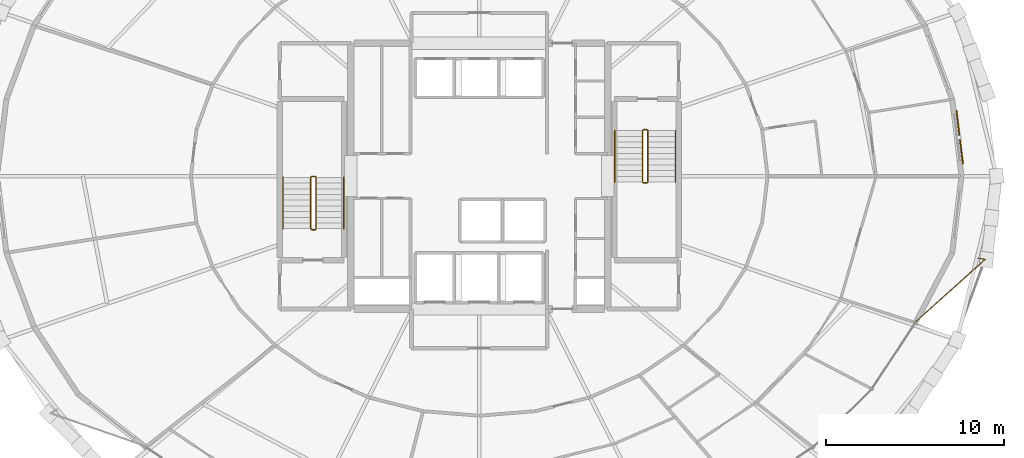
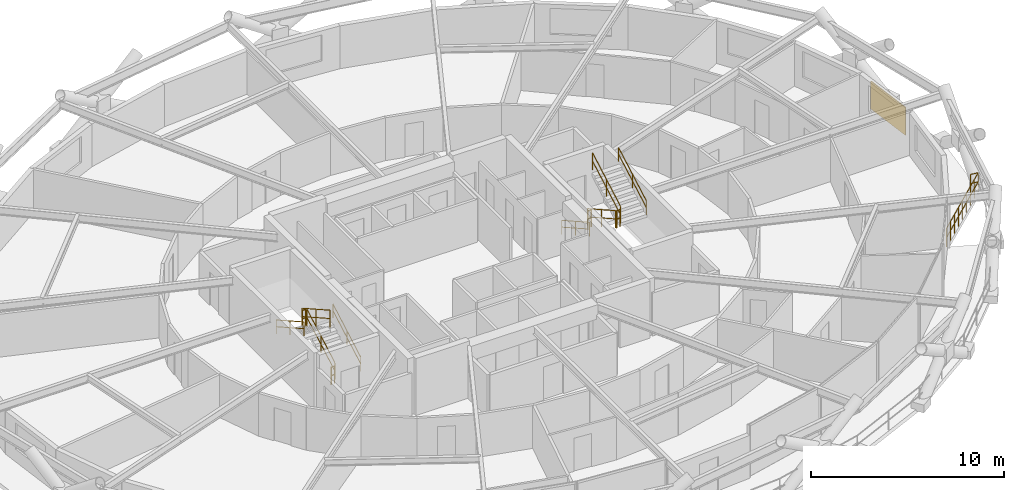
# One storey, part 19 of 19: 13 railings, 1 shading device.
"""IFC4 building model written with IfcOpenShell, lengths in metres."""

import ifcopenshell
import ifcopenshell.guid

model = None  # the IFC model being written
_history = None  # IfcOwnerHistory: only IFC2X3 demands one
_inside = {}  # id of a spatial element -> (the spatial element, [elements in it])
_under = {}  # id of a project, library or spatial element -> (it, [spatial elements below it])
_declared = {}  # id of a project -> (the project, [libraries it declares])
_typed = {}  # id of a type object -> (the type object, [elements of that type])
_made_of = {}  # id of a material, layer set ... -> (it, [elements and type objects made of it])


def new_model(schema):
    """Start an empty IFC model of exactly this schema.

    Asked for "IFC4X3", IfcOpenShell would pick the latest addendum, in which some entities
    have other attributes; the version numbers below select the first issue.
    IFC2X3 requires an IfcOwnerHistory on every rooted entity: one is made here for all.
    """
    global model, _history
    if schema == "IFC4X3":
        model = ifcopenshell.file(schema_version=(4, 3, 0, 0))
    else:
        model = ifcopenshell.file(schema=schema)
    _inside.clear()
    _under.clear()
    _declared.clear()
    _typed.clear()
    _made_of.clear()
    _history = None
    if model.schema == "IFC2X3":
        org = make("IfcOrganization", Name="unknown")
        user = make(
            "IfcPersonAndOrganization",
            ThePerson=make("IfcPerson", FamilyName="unknown"),
            TheOrganization=org,
        )
        app = make(
            "IfcApplication",
            ApplicationDeveloper=org,
            Version="unknown",
            ApplicationFullName="unknown",
            ApplicationIdentifier="unknown",
        )
        _history = make(
            "IfcOwnerHistory",
            OwningUser=user,
            OwningApplication=app,
            ChangeAction="ADDED",
            CreationDate=0,
        )
    return model


def make(cls, **values):
    """One entity of the class cls with the attributes given. An attribute that is None is left unset."""
    return model.create_entity(
        cls, **{name: value for name, value in values.items() if value is not None}
    )


def rooted(cls, **values):
    """An entity with a GlobalId (a new one), such as an element, a storey or a relation."""
    return make(cls, GlobalId=ifcopenshell.guid.new(), OwnerHistory=_history, **values)


def si_unit(unit_type, name, prefix=None):
    """IfcSIUnit, for example si_unit("LENGTHUNIT", "METRE", prefix="MILLI")."""
    return make("IfcSIUnit", UnitType=unit_type, Prefix=prefix, Name=name)


def assignment(units):
    """IfcUnitAssignment: the units of a project."""
    return None if units is None else make("IfcUnitAssignment", Units=units)


def point(xyz):
    """IfcCartesianPoint."""
    return None if xyz is None else make("IfcCartesianPoint", Coordinates=xyz)


def direction(xyz):
    """IfcDirection."""
    return None if xyz is None else make("IfcDirection", DirectionRatios=xyz)


def frame(location, z_axis=None, x_axis=None):
    """IfcAxis2Placement3D, a coordinate frame: its origin and axes. An axis left out is left unset."""
    return make(
        "IfcAxis2Placement3D",
        Location=point(location),
        Axis=direction(z_axis),
        RefDirection=direction(x_axis),
    )


def frame_2d(location, x_axis=None):
    """IfcAxis2Placement2D, a coordinate frame in the plane: its origin and x axis."""
    return make(
        "IfcAxis2Placement2D", Location=point(location), RefDirection=direction(x_axis)
    )


def origin():
    """The frame at (0, 0, 0) with its axes left unset."""
    return frame((0.0, 0.0, 0.0))


def origin_2d():
    """The frame at (0, 0) in the plane with its x axis left unset."""
    return frame_2d((0.0, 0.0))


def place(relative_to, where):
    """IfcLocalPlacement: puts the frame where relative to a parent placement (None: the world)."""
    return make(
        "IfcLocalPlacement", PlacementRelTo=relative_to, RelativePlacement=where
    )


def context(
    kind, dimensions, precision=None, world=None, true_north=None, identifier=None
):
    """IfcGeometricRepresentationContext, for example the 3D "Model" context."""
    return make(
        "IfcGeometricRepresentationContext",
        ContextIdentifier=identifier,
        ContextType=kind,
        CoordinateSpaceDimension=dimensions,
        Precision=precision,
        WorldCoordinateSystem=world,
        TrueNorth=true_north,
    )


def subcontext(parent, identifier, kind, view, scale=None):
    """IfcGeometricRepresentationSubContext, for example "Body" below "Model"."""
    return make(
        "IfcGeometricRepresentationSubContext",
        ContextIdentifier=identifier,
        ContextType=kind,
        ParentContext=parent,
        TargetScale=scale,
        TargetView=view,
    )


def project(units=None, contexts=None):
    """IfcProject with its units and contexts."""
    return rooted(
        "IfcProject",
        Name="project",
        RepresentationContexts=contexts,
        UnitsInContext=assignment(units),
    )


def spatial(cls, under=None, at=None, **own):
    """A site, building, storey or space (cls), placed at a placement, below another one or the project."""
    s = rooted(cls, ObjectPlacement=at, **own)
    if under is not None:
        _under.setdefault(under.id(), (under, []))[1].append(s)
    return s


def profile(cls, at=None, kind="AREA", **sizes):
    """A parametric profile (cls). Its sizes go by their IFC names, for example OverallWidth=200.0."""
    return make(cls, ProfileType=kind, Position=at, **sizes)


def rectangle(**sizes):
    """IfcRectangleProfileDef."""
    return profile("IfcRectangleProfileDef", **sizes)


def circle(**sizes):
    """IfcCircleProfileDef."""
    return profile("IfcCircleProfileDef", **sizes)


def extrude(swept, where, along, depth):
    """IfcExtrudedAreaSolid: the profile swept, set in the frame where, extruded along a direction by depth."""
    return make(
        "IfcExtrudedAreaSolid",
        SweptArea=swept,
        Position=where,
        ExtrudedDirection=direction(along),
        Depth=depth,
    )


def shape(context_of_items, identifier, shape_type, items):
    """IfcShapeRepresentation: the items that make up one representation, for example the "Body"."""
    return make(
        "IfcShapeRepresentation",
        ContextOfItems=context_of_items,
        RepresentationIdentifier=identifier,
        RepresentationType=shape_type,
        Items=items,
    )


def material(Name=None, Category=None):
    """IfcMaterial."""
    return make("IfcMaterial", Name=Name, Category=Category)


def layer(
    of_material, thickness, ventilated=None, Name=None, Category=None, Priority=None
):
    """IfcMaterialLayer: one layer of a wall or slab, of a material (None: an air gap)."""
    return make(
        "IfcMaterialLayer",
        Material=of_material,
        LayerThickness=thickness,
        IsVentilated=ventilated,
        Name=Name,
        Category=Category,
        Priority=Priority,
    )


def layer_set(layers, Name=None):
    """IfcMaterialLayerSet."""
    return make("IfcMaterialLayerSet", MaterialLayers=layers, LayerSetName=Name)


def made_of(thing, what):
    """Note that an element or type object is made of a material, layer set ...; save() writes the relation."""
    if what is not None:
        _made_of.setdefault(what.id(), (what, []))[1].append(thing)
    return thing


def type_object(cls, material=None, **own):
    """A type object (cls), such as IfcWallType, which elements share."""
    return made_of(rooted(cls, **own), material)


def element(
    cls,
    number,
    at=None,
    inside=None,
    cuts=None,
    type_object=None,
    material=None,
    context=None,
    identifier="Body",
    shape_type=None,
    held_by="IfcProductDefinitionShape",
    body=None,
    shapes=None,
    **own,
):
    """One element of the class cls, such as IfcWall. Its Tag is "e" and its number.

    at: its placement. inside: the storey or other place that contains it. cuts: it is an
    opening in that element (IfcRelVoidsElement). A single representation is given by context,
    identifier, shape_type and body (its items); several are given by shapes. held_by: the class
    of the entity that holds the representations. save() writes the other relations.
    """
    e = rooted(cls, Tag="e%d" % number, ObjectPlacement=at, **own)
    if body is not None:
        shapes = [shape(context, identifier, shape_type, body)]
    if shapes is not None:
        e.Representation = make(held_by, Representations=shapes)
    if inside is not None:
        _inside.setdefault(inside.id(), (inside, []))[1].append(e)
    if cuts is not None:
        rooted(
            "IfcRelVoidsElement", RelatingBuildingElement=cuts, RelatedOpeningElement=e
        )
    if type_object is not None:
        _typed.setdefault(type_object.id(), (type_object, []))[1].append(e)
    return made_of(e, material)


def aggregate(whole, parts):
    """IfcRelAggregates: a whole, such as a stair, and the parts it consists of."""
    return rooted("IfcRelAggregates", RelatingObject=whole, RelatedObjects=parts)


def save(model, path):
    """Write the relations noted so far, then the file.

    IfcRelAggregates (storeys below a building ...), IfcRelContainedInSpatialStructure (elements
    in a storey), IfcRelDefinesByType, IfcRelAssociatesMaterial and IfcRelDeclares: one each for
    every whole, place, type object, material and project.
    """
    for whole, parts in _under.values():
        aggregate(whole, parts)
    for where, things in _inside.values():
        rooted(
            "IfcRelContainedInSpatialStructure",
            RelatedElements=things,
            RelatingStructure=where,
        )
    for kind, things in _typed.values():
        rooted("IfcRelDefinesByType", RelatedObjects=things, RelatingType=kind)
    for what, things in _made_of.values():
        rooted("IfcRelAssociatesMaterial", RelatedObjects=things, RelatingMaterial=what)
    for by, libraries in _declared.values():
        rooted("IfcRelDeclares", RelatingContext=by, RelatedDefinitions=libraries)
    model.write(path)


model = new_model("IFC4")

# Units and contexts
model_context = context("Model", 3, precision=1e-05, world=origin(), true_north=direction((0.0, 1.0)))
body_context = subcontext(model_context, "Body", "Model", "MODEL_VIEW")
ifc_project = project(units=[si_unit("LENGTHUNIT", "METRE"), si_unit("AREAUNIT", "SQUARE_METRE"), si_unit("VOLUMEUNIT", "CUBIC_METRE"), si_unit("PLANEANGLEUNIT", "RADIAN"), si_unit("MASSUNIT", "GRAM", prefix="KILO")], contexts=[model_context])

# Site, building, storey
site_placement = place(None, origin())
site = spatial("IfcSite", under=ifc_project, at=site_placement, CompositionType="ELEMENT")
building_placement = place(site_placement, origin())
building = spatial("IfcBuilding", under=site, at=building_placement, Name="Veldorina Hangang Commons", CompositionType="ELEMENT")
storey_placement = place(building_placement, frame((0.0, 0.0, 77.199951171875)))
storey = spatial("IfcBuildingStorey", under=building, at=storey_placement, Name="L19", CompositionType="ELEMENT", Elevation=77.199951171875)

# Railings
ifc_material_1 = material(Name="Glass Laminated Safety Balustrade", Category="glass")
railing_type_1 = type_object("IfcRailingType", Name="RL-BAL-LOGGIA", PredefinedType="BALUSTRADE", material=ifc_material_1)
railing_1_placement = place(storey_placement, frame((59.940185546875, 19.40087890625, 0.0)))
element("IfcRailing", 1, at=railing_1_placement, inside=storey, type_object=railing_type_1, Name="L19 sky-garden loggia end balustrade B", PredefinedType="BALUSTRADE", context=body_context, shape_type="SweptSolid", body=[
    extrude(circle(Radius=0.02392578125, at=origin_2d()), frame((0.0, 0.0, 1.17578125), z_axis=(0.986768283702, -0.162136838135, 0.0), x_axis=(0.162136838135, 0.986768283702, 0.0)), (0.0, 0.0, 1.0), 0.420166015625),
    extrude(circle(Radius=0.02392578125, at=origin_2d()), frame((0.0, 0.0, 0.60009765625), z_axis=(0.986768283702, -0.162136838135, 0.0), x_axis=(0.162136838135, 0.986768283702, 0.0)), (0.0, 0.0, 1.0), 0.420166015625),
    extrude(circle(Radius=0.02392578125, at=origin_2d()), frame((0.41455078125, -0.068115234375, 1.17578125), z_axis=(-0.743945267055, -0.668240555209, 0.0), x_axis=(0.668240555209, -0.743945267055, 0.0)), (0.0, 0.0, 1.0), 5.2919921875),
    extrude(circle(Radius=0.02392578125, at=origin_2d()), frame((0.41455078125, -0.068115234375, 0.60009765625), z_axis=(-0.743945267055, -0.668240555209, 0.0), x_axis=(0.668240555209, -0.743945267055, 0.0)), (0.0, 0.0, 1.0), 5.2919921875),
    extrude(circle(Radius=0.02099609375, at=origin_2d()), origin(), (0.0, 0.0, 1.0), 1.15185546875),
    extrude(circle(Radius=0.02099609375, at=origin_2d()), frame((0.41455078125, -0.068115234375, 0.0)), (0.0, 0.0, 1.0), 1.15185546875),
    extrude(circle(Radius=0.02099609375, at=origin_2d()), frame((-0.07763671875, -0.51025390625, 0.0)), (0.0, 0.0, 1.0), 1.15185546875),
    extrude(circle(Radius=0.02099609375, at=origin_2d()), frame((-0.56982421875, -0.9521484375, 0.0)), (0.0, 0.0, 1.0), 1.15185546875),
    extrude(circle(Radius=0.02099609375, at=origin_2d()), frame((-1.061767578125, -1.394287109375, 0.0)), (0.0, 0.0, 1.0), 1.15185546875),
    extrude(circle(Radius=0.02099609375, at=origin_2d()), frame((-1.553955078125, -1.83642578125, 0.0)), (0.0, 0.0, 1.0), 1.15185546875),
    extrude(circle(Radius=0.02099609375, at=origin_2d()), frame((-2.046142578125, -2.2783203125, 0.0)), (0.0, 0.0, 1.0), 1.15185546875),
    extrude(circle(Radius=0.02099609375, at=origin_2d()), frame((-2.5380859375, -2.720458984375, 0.0)), (0.0, 0.0, 1.0), 1.15185546875),
    extrude(circle(Radius=0.02099609375, at=origin_2d()), frame((-3.0302734375, -3.162353515625, 0.0)), (0.0, 0.0, 1.0), 1.15185546875),
    extrude(circle(Radius=0.02099609375, at=origin_2d()), frame((-3.5224609375, -3.6044921875, 0.0)), (0.0, 0.0, 1.0), 1.15185546875),
])
ifc_material_2 = material(Name="Steel Painted Balustrade", Category="steel")
railing_type_2 = type_object("IfcRailingType", Name="RL-GRD-STAIR", PredefinedType="GUARDRAIL", material=ifc_material_2)
railing_2_placement = place(storey_placement, frame((22.85009765625, 21.050048828125, 0.179931640625)))
element("IfcRailing", 2, at=railing_2_placement, inside=storey, type_object=railing_type_2, Name="L19 ST-1 stair guard 1", PredefinedType="GUARDRAIL", context=body_context, shape_type="SweptSolid", body=[
    extrude(circle(Radius=0.02392578125, at=origin_2d()), frame((0.0, 0.0, 1.076171875), z_axis=(0.0, 0.87155185771, 0.490303333991), x_axis=(-1.0, 0.0, 0.0)), (0.0, 0.0, 1.0), 3.30419921875),
    extrude(circle(Radius=0.02392578125, at=origin_2d()), frame((0.0, 0.0, 0.550048828125), z_axis=(0.0, 0.87155185771, 0.490303333991), x_axis=(-1.0, 0.0, 0.0)), (0.0, 0.0, 1.0), 3.30419921875),
    extrude(circle(Radius=0.02099609375, at=origin_2d()), origin(), (0.0, 0.0, 1.0), 1.052001953125),
    extrude(circle(Radius=0.02099609375, at=origin_2d()), frame((0.0, 1.43994140625, 0.81005859375)), (0.0, 0.0, 1.0), 1.052001953125),
    extrude(circle(Radius=0.02099609375, at=origin_2d()), frame((0.0, 2.8798828125, 1.6201171875)), (0.0, 0.0, 1.0), 1.052001953125),
])
railing_3_placement = place(storey_placement, frame((22.800048828125, 23.97998046875, 1.800048828125)))
element("IfcRailing", 3, at=railing_3_placement, inside=storey, type_object=railing_type_2, Name="L19 ST-1 stair guard 2", PredefinedType="GUARDRAIL", context=body_context, shape_type="SweptSolid", body=[
    extrude(circle(Radius=0.02392578125, at=origin_2d()), frame((0.0, 0.0, 1.076171875), z_axis=(-1.0, 0.0, 0.0), x_axis=(0.0, -1.0, 0.0)), (0.0, 0.0, 1.0), 0.199951171875),
    extrude(circle(Radius=0.02392578125, at=origin_2d()), frame((0.0, 0.0, 0.550048828125), z_axis=(-1.0, 0.0, 0.0), x_axis=(0.0, -1.0, 0.0)), (0.0, 0.0, 1.0), 0.199951171875),
    extrude(circle(Radius=0.02099609375, at=origin_2d()), origin(), (0.0, 0.0, 1.0), 1.052001953125),
    extrude(circle(Radius=0.02099609375, at=origin_2d()), frame((-0.199951171875, 0.0, 0.0)), (0.0, 0.0, 1.0), 1.052001953125),
])
railing_4_placement = place(storey_placement, frame((22.550048828125, 23.929931640625, 1.97998046875)))
element("IfcRailing", 4, at=railing_4_placement, inside=storey, type_object=railing_type_2, Name="L19 ST-1 stair guard 3", PredefinedType="GUARDRAIL", context=body_context, shape_type="SweptSolid", body=[
    extrude(circle(Radius=0.02392578125, at=origin_2d()), frame((0.0, 0.0, 1.076171875), z_axis=(0.0, -0.87155185771, 0.490303333991), x_axis=(1.0, 0.0, 0.0)), (0.0, 0.0, 1.0), 3.30419921875),
    extrude(circle(Radius=0.02392578125, at=origin_2d()), frame((0.0, 0.0, 0.550048828125), z_axis=(0.0, -0.87155185771, 0.490303333991), x_axis=(1.0, 0.0, 0.0)), (0.0, 0.0, 1.0), 3.30419921875),
    extrude(circle(Radius=0.02099609375, at=origin_2d()), origin(), (0.0, 0.0, 1.0), 1.052001953125),
    extrude(circle(Radius=0.02099609375, at=origin_2d()), frame((0.0, -1.43994140625, 0.81005859375)), (0.0, 0.0, 1.0), 1.052001953125),
    extrude(circle(Radius=0.02099609375, at=origin_2d()), frame((0.0, -2.8798828125, 1.6201171875)), (0.0, 0.0, 1.0), 1.052001953125),
])
railing_5_placement = place(storey_placement, frame((22.800048828125, 21.0, 0.0)))
element("IfcRailing", 5, at=railing_5_placement, inside=storey, type_object=railing_type_2, Name="L19 ST-1 stair guard 4", PredefinedType="GUARDRAIL", context=body_context, shape_type="SweptSolid", body=[
    extrude(circle(Radius=0.02392578125, at=origin_2d()), frame((0.0, 0.0, 1.076171875), z_axis=(-1.0, 0.0, 0.0), x_axis=(0.0, -1.0, 0.0)), (0.0, 0.0, 1.0), 0.199951171875),
    extrude(circle(Radius=0.02392578125, at=origin_2d()), frame((0.0, 0.0, 0.550048828125), z_axis=(-1.0, 0.0, 0.0), x_axis=(0.0, -1.0, 0.0)), (0.0, 0.0, 1.0), 0.199951171875),
    extrude(circle(Radius=0.02099609375, at=origin_2d()), origin(), (0.0, 0.0, 1.0), 1.052001953125),
    extrude(circle(Radius=0.02099609375, at=origin_2d()), frame((-0.199951171875, 0.0, 0.0)), (0.0, 0.0, 1.0), 1.052001953125),
])
railing_6_placement = place(storey_placement, frame((41.14990234375, 26.550048828125, 0.179931640625)))
element("IfcRailing", 6, at=railing_6_placement, inside=storey, type_object=railing_type_2, Name="L19 ST-2 stair guard 1", PredefinedType="GUARDRAIL", context=body_context, shape_type="SweptSolid", body=[
    extrude(circle(Radius=0.02392578125, at=origin_2d()), frame((0.0, 0.0, 1.076171875), z_axis=(0.0, -0.871569617843, 0.490271762652), x_axis=(1.0, 0.0, 0.0)), (0.0, 0.0, 1.0), 3.304443359375),
    extrude(circle(Radius=0.02392578125, at=origin_2d()), frame((0.0, 0.0, 0.550048828125), z_axis=(0.0, -0.871569617843, 0.490271762652), x_axis=(1.0, 0.0, 0.0)), (0.0, 0.0, 1.0), 3.304443359375),
    extrude(circle(Radius=0.02099609375, at=origin_2d()), origin(), (0.0, 0.0, 1.0), 1.052001953125),
    extrude(circle(Radius=0.02099609375, at=origin_2d()), frame((0.0, -1.43994140625, 0.81005859375)), (0.0, 0.0, 1.0), 1.052001953125),
    extrude(circle(Radius=0.02099609375, at=origin_2d()), frame((0.0, -2.880126953125, 1.6201171875)), (0.0, 0.0, 1.0), 1.052001953125),
])
railing_7_placement = place(storey_placement, frame((41.199951171875, 23.6201171875, 1.800048828125)))
element("IfcRailing", 7, at=railing_7_placement, inside=storey, type_object=railing_type_2, Name="L19 ST-2 stair guard 2", PredefinedType="GUARDRAIL", context=body_context, shape_type="SweptSolid", body=[
    extrude(circle(Radius=0.02392578125, at=origin_2d()), frame((0.0, 0.0, 1.076171875), z_axis=(1.0, 0.0, 0.0), x_axis=(0.0, 1.0, 0.0)), (0.0, 0.0, 1.0), 0.199951171875),
    extrude(circle(Radius=0.02392578125, at=origin_2d()), frame((0.0, 0.0, 0.550048828125), z_axis=(1.0, 0.0, 0.0), x_axis=(0.0, 1.0, 0.0)), (0.0, 0.0, 1.0), 0.199951171875),
    extrude(circle(Radius=0.02099609375, at=origin_2d()), origin(), (0.0, 0.0, 1.0), 1.052001953125),
    extrude(circle(Radius=0.02099609375, at=origin_2d()), frame((0.199951171875, 0.0, 0.0)), (0.0, 0.0, 1.0), 1.052001953125),
])
railing_8_placement = place(storey_placement, frame((41.449951171875, 23.669921875, 1.97998046875)))
element("IfcRailing", 8, at=railing_8_placement, inside=storey, type_object=railing_type_2, Name="L19 ST-2 stair guard 3", PredefinedType="GUARDRAIL", context=body_context, shape_type="SweptSolid", body=[
    extrude(circle(Radius=0.02392578125, at=origin_2d()), frame((0.0, 0.0, 1.076171875), z_axis=(0.0, 0.871569617843, 0.490271762652), x_axis=(-1.0, 0.0, 0.0)), (0.0, 0.0, 1.0), 3.304443359375),
    extrude(circle(Radius=0.02392578125, at=origin_2d()), frame((0.0, 0.0, 0.550048828125), z_axis=(0.0, 0.871569617843, 0.490271762652), x_axis=(-1.0, 0.0, 0.0)), (0.0, 0.0, 1.0), 3.304443359375),
    extrude(circle(Radius=0.02099609375, at=origin_2d()), origin(), (0.0, 0.0, 1.0), 1.052001953125),
    extrude(circle(Radius=0.02099609375, at=origin_2d()), frame((0.0, 1.43994140625, 0.81005859375)), (0.0, 0.0, 1.0), 1.052001953125),
    extrude(circle(Radius=0.02099609375, at=origin_2d()), frame((0.0, 2.880126953125, 1.6201171875)), (0.0, 0.0, 1.0), 1.052001953125),
])
railing_9_placement = place(storey_placement, frame((41.199951171875, 26.60009765625, 0.0)))
element("IfcRailing", 9, at=railing_9_placement, inside=storey, type_object=railing_type_2, Name="L19 ST-2 stair guard 4", PredefinedType="GUARDRAIL", context=body_context, shape_type="SweptSolid", body=[
    extrude(circle(Radius=0.02392578125, at=origin_2d()), frame((0.0, 0.0, 1.076171875), z_axis=(1.0, 0.0, 0.0), x_axis=(0.0, 1.0, 0.0)), (0.0, 0.0, 1.0), 0.199951171875),
    extrude(circle(Radius=0.02392578125, at=origin_2d()), frame((0.0, 0.0, 0.550048828125), z_axis=(1.0, 0.0, 0.0), x_axis=(0.0, 1.0, 0.0)), (0.0, 0.0, 1.0), 0.199951171875),
    extrude(circle(Radius=0.02099609375, at=origin_2d()), origin(), (0.0, 0.0, 1.0), 1.052001953125),
    extrude(circle(Radius=0.02099609375, at=origin_2d()), frame((0.199951171875, 0.0, 0.0)), (0.0, 0.0, 1.0), 1.052001953125),
])
ifc_material_3 = material(Name="Stainless Steel Brushed 316", Category="steel")
railing_type_3 = type_object("IfcRailingType", Name="RL-HND-STAIR", PredefinedType="HANDRAIL", material=ifc_material_3)
railing_10_placement = place(storey_placement, frame((24.39990234375, 21.050048828125, 0.179931640625)))
element("IfcRailing", 10, at=railing_10_placement, inside=storey, type_object=railing_type_3, Name="L19 ST-1 stair handrail 1", PredefinedType="HANDRAIL", context=body_context, shape_type="SweptSolid", body=[
    extrude(circle(Radius=0.02392578125, at=origin_2d()), frame((0.0, 0.0, 0.8759765625), z_axis=(0.0, 0.87155185771, 0.490303333991), x_axis=(-1.0, 0.0, 0.0)), (0.0, 0.0, 1.0), 3.30419921875),
    extrude(circle(Radius=0.02392578125, at=origin_2d()), frame((0.0, 0.0, 0.449951171875), z_axis=(0.0, 0.87155185771, 0.490303333991), x_axis=(-1.0, 0.0, 0.0)), (0.0, 0.0, 1.0), 3.30419921875),
    extrude(circle(Radius=0.02099609375, at=origin_2d()), origin(), (0.0, 0.0, 1.0), 0.851806640625),
    extrude(circle(Radius=0.02099609375, at=origin_2d()), frame((0.0, 1.43994140625, 0.81005859375)), (0.0, 0.0, 1.0), 0.851806640625),
    extrude(circle(Radius=0.02099609375, at=origin_2d()), frame((0.0, 2.8798828125, 1.6201171875)), (0.0, 0.0, 1.0), 0.851806640625),
])
railing_11_placement = place(storey_placement, frame((21.0, 23.929931640625, 1.97998046875)))
element("IfcRailing", 11, at=railing_11_placement, inside=storey, type_object=railing_type_3, Name="L19 ST-1 stair handrail 2", PredefinedType="HANDRAIL", context=body_context, shape_type="SweptSolid", body=[
    extrude(circle(Radius=0.02392578125, at=origin_2d()), frame((0.0, 0.0, 0.8759765625), z_axis=(0.0, -0.87155185771, 0.490303333991), x_axis=(1.0, 0.0, 0.0)), (0.0, 0.0, 1.0), 3.30419921875),
    extrude(circle(Radius=0.02392578125, at=origin_2d()), frame((0.0, 0.0, 0.449951171875), z_axis=(0.0, -0.87155185771, 0.490303333991), x_axis=(1.0, 0.0, 0.0)), (0.0, 0.0, 1.0), 3.30419921875),
    extrude(circle(Radius=0.02099609375, at=origin_2d()), origin(), (0.0, 0.0, 1.0), 0.851806640625),
    extrude(circle(Radius=0.02099609375, at=origin_2d()), frame((0.0, -1.43994140625, 0.81005859375)), (0.0, 0.0, 1.0), 0.851806640625),
    extrude(circle(Radius=0.02099609375, at=origin_2d()), frame((0.0, -2.8798828125, 1.6201171875)), (0.0, 0.0, 1.0), 0.851806640625),
])
railing_12_placement = place(storey_placement, frame((39.60009765625, 26.550048828125, 0.179931640625)))
element("IfcRailing", 12, at=railing_12_placement, inside=storey, type_object=railing_type_3, Name="L19 ST-2 stair handrail 1", PredefinedType="HANDRAIL", context=body_context, shape_type="SweptSolid", body=[
    extrude(circle(Radius=0.02392578125, at=origin_2d()), frame((0.0, 0.0, 0.8759765625), z_axis=(0.0, -0.871569617843, 0.490271762652), x_axis=(1.0, 0.0, 0.0)), (0.0, 0.0, 1.0), 3.304443359375),
    extrude(circle(Radius=0.02392578125, at=origin_2d()), frame((0.0, 0.0, 0.449951171875), z_axis=(0.0, -0.871569617843, 0.490271762652), x_axis=(1.0, 0.0, 0.0)), (0.0, 0.0, 1.0), 3.304443359375),
    extrude(circle(Radius=0.02099609375, at=origin_2d()), origin(), (0.0, 0.0, 1.0), 0.851806640625),
    extrude(circle(Radius=0.02099609375, at=origin_2d()), frame((0.0, -1.43994140625, 0.81005859375)), (0.0, 0.0, 1.0), 0.851806640625),
    extrude(circle(Radius=0.02099609375, at=origin_2d()), frame((0.0, -2.880126953125, 1.6201171875)), (0.0, 0.0, 1.0), 0.851806640625),
])
railing_13_placement = place(storey_placement, frame((43.0, 23.669921875, 1.97998046875)))
element("IfcRailing", 13, at=railing_13_placement, inside=storey, type_object=railing_type_3, Name="L19 ST-2 stair handrail 2", PredefinedType="HANDRAIL", context=body_context, shape_type="SweptSolid", body=[
    extrude(circle(Radius=0.02392578125, at=origin_2d()), frame((0.0, 0.0, 0.8759765625), z_axis=(0.0, 0.871569617843, 0.490271762652), x_axis=(-1.0, 0.0, 0.0)), (0.0, 0.0, 1.0), 3.304443359375),
    extrude(circle(Radius=0.02392578125, at=origin_2d()), frame((0.0, 0.0, 0.449951171875), z_axis=(0.0, 0.871569617843, 0.490271762652), x_axis=(-1.0, 0.0, 0.0)), (0.0, 0.0, 1.0), 3.304443359375),
    extrude(circle(Radius=0.02099609375, at=origin_2d()), origin(), (0.0, 0.0, 1.0), 0.851806640625),
    extrude(circle(Radius=0.02099609375, at=origin_2d()), frame((0.0, 1.43994140625, 0.81005859375)), (0.0, 0.0, 1.0), 0.851806640625),
    extrude(circle(Radius=0.02099609375, at=origin_2d()), frame((0.0, 2.880126953125, 1.6201171875)), (0.0, 0.0, 1.0), 0.851806640625),
])

# Shading device
ifc_material_4 = material(Name="Ceramic Glazed Terracotta", Category="masonry")
ifc_layer = layer(ifc_material_4, 0.06005859375)
ifc_layer_set = layer_set([ifc_layer], Name="Ceramic Glazed Terracotta")
shading_device_type = type_object("IfcShadingDeviceType", Name="SCR-CER-3000", PredefinedType="USERDEFINED", material=ifc_layer_set)
shading_device_placement = place(storey_placement, frame((58.9296875, 26.168212890625, 0.75), z_axis=(0.0, 0.0, 1.0), x_axis=(-0.119980895395, 0.992776200732, 0.0)))
element("IfcShadingDevice", 14, at=shading_device_placement, inside=storey, type_object=shading_device_type, Name="L19 PERFORATED CERAMIC SOLAR SCREEN 00", ObjectType="SCREEN", PredefinedType="USERDEFINED", context=body_context, shape_type="SweptSolid", body=[
    extrude(rectangle(XDim=3.0, YDim=0.06005859375, at=origin_2d()), origin(), (0.0, 0.0, 1.0), 1.75),
])

save(model, "model.ifc")
